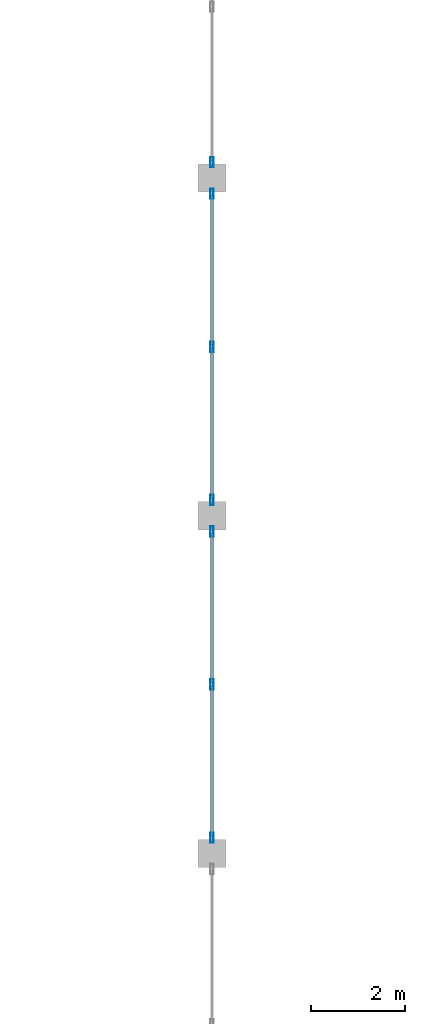
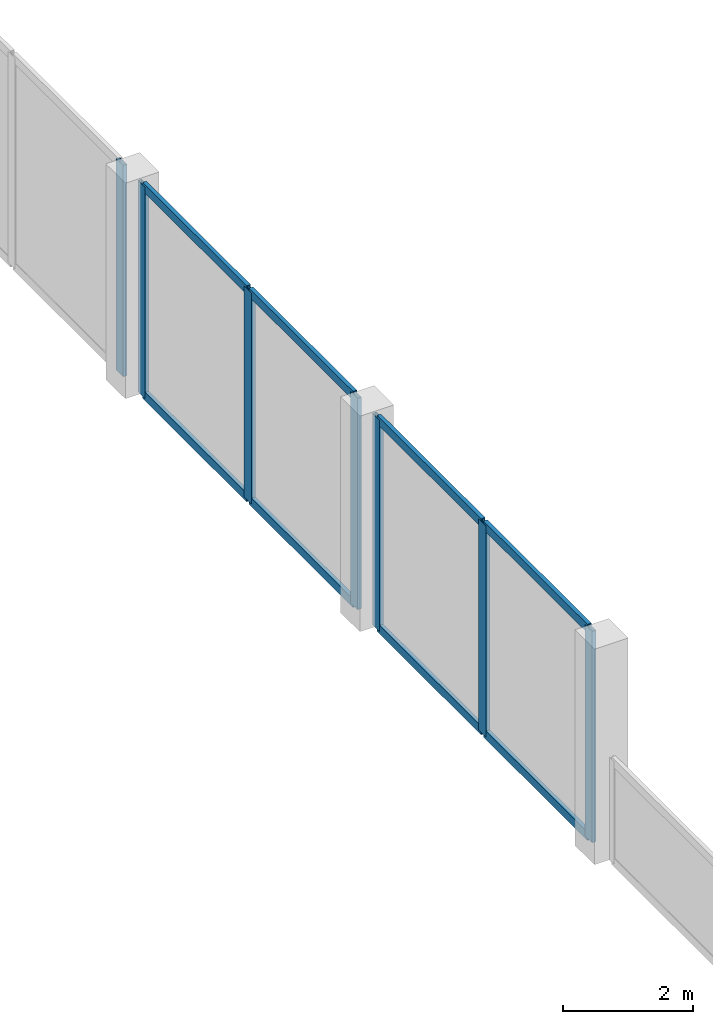
# One storey, part 23 of 51: 15 members, 3 elements without a shape of their own.
"""IFC4 building model written with IfcOpenShell, lengths in metres."""

from ifc_helpers import new_model, si_unit, direction, frame, origin, origin_2d, place, context, subcontext, project, spatial, hollow_rectangle, extrude, material, material_profile, profile_set, type_object, element, aggregate, save


model = new_model("IFC4")

# Units and contexts
model_context = context("Model", 3, precision=1e-05, world=origin(), true_north=direction((0.0, 1.0)))
body_context = subcontext(model_context, "Body", "Model", "MODEL_VIEW")
ifc_project = project(units=[si_unit("LENGTHUNIT", "METRE"), si_unit("AREAUNIT", "SQUARE_METRE"), si_unit("VOLUMEUNIT", "CUBIC_METRE"), si_unit("PLANEANGLEUNIT", "RADIAN"), si_unit("MASSUNIT", "GRAM", prefix="KILO")], contexts=[model_context])

# Site, building, storey
site_placement = place(None, origin())
site = spatial("IfcSite", under=ifc_project, at=site_placement, CompositionType="ELEMENT")
building_placement = place(site_placement, origin())
building = spatial("IfcBuilding", under=site, at=building_placement, Name="Vesperath Aquatics Centre", CompositionType="ELEMENT")
storey_placement = place(building_placement, frame((0.0, 0.0, 15.0)))
storey = spatial("IfcBuildingStorey", under=building, at=storey_placement, Name="L03", CompositionType="ELEMENT", Elevation=15.0)

# Curtain wall, members
ifc_material_1 = material(Name="Thermally broken anodised bronze aluminium curtain wall", Category="aluminium")
curtain_wall_type = type_object("IfcCurtainWallType", Name="CW-04", PredefinedType="NOTDEFINED", material=ifc_material_1)
curtain_wall_1_placement = place(storey_placement, origin())
curtain_wall_1 = element("IfcCurtainWall", 1, at=curtain_wall_1_placement, inside=storey, type_object=curtain_wall_type, Name="Facade Curtain Wall CW04 L03_E_08_13", PredefinedType="NOTDEFINED")
ifc_material_2 = material(Name="Thermally broken anodised aluminium", Category="aluminium")
ifc_material_profile_1 = material_profile(ifc_material_2, hollow_rectangle(XDim=0.070068359375, YDim=0.219970703125, WallThickness=0.0048828125, at=origin_2d()), Name="CWM 70x220x5")
ifc_profile_set_1 = profile_set([ifc_material_profile_1], Name="Thermally broken anodised aluminium")
member_type_1 = type_object("IfcMemberType", Name="MB-CWM2", PredefinedType="MULLION", material=ifc_profile_set_1)
member_1_placement = place(storey_placement, frame((57.60009765625, 93.93505859375, 0.0), z_axis=(0.0, 0.0, 1.0), x_axis=(-1.0, 0.0, 0.0)))
member_1 = element("IfcMember", 2, at=member_1_placement, type_object=member_type_1, Name="CW04 mullion 1", PredefinedType="MULLION", context=body_context, shape_type="SweptSolid", body=[
    extrude(hollow_rectangle(XDim=0.070068359375, YDim=0.219970703125, WallThickness=0.0048828125, at=origin_2d()), origin(), (0.0, 0.0, 1.0), 3.9599609375),
])
member_2_placement = place(storey_placement, frame((57.60009765625, 97.199951171875, 0.0), z_axis=(0.0, 0.0, 1.0), x_axis=(-1.0, 0.0, 0.0)))
member_2 = element("IfcMember", 3, at=member_2_placement, type_object=member_type_1, Name="CW04 mullion 2", PredefinedType="MULLION", context=body_context, shape_type="SweptSolid", body=[
    extrude(hollow_rectangle(XDim=0.070068359375, YDim=0.219970703125, WallThickness=0.0048828125, at=origin_2d()), origin(), (0.0, 0.0, 1.0), 3.9599609375),
])
member_3_placement = place(storey_placement, frame((57.60009765625, 100.465087890625, 0.0), z_axis=(0.0, 0.0, 1.0), x_axis=(-1.0, 0.0, 0.0)))
member_3 = element("IfcMember", 4, at=member_3_placement, type_object=member_type_1, Name="CW04 mullion 3", PredefinedType="MULLION", context=body_context, shape_type="SweptSolid", body=[
    extrude(hollow_rectangle(XDim=0.070068359375, YDim=0.219970703125, WallThickness=0.0048828125, at=origin_2d()), origin(), (0.0, 0.0, 1.0), 3.9599609375),
])

curtain_wall_2_placement = place(storey_placement, origin())
curtain_wall_2 = element("IfcCurtainWall", 5, at=curtain_wall_2_placement, inside=storey, type_object=curtain_wall_type, Name="Facade Curtain Wall CW04 L03_E_08_14", PredefinedType="NOTDEFINED")
member_4_placement = place(storey_placement, frame((57.60009765625, 101.135009765625, 0.0), z_axis=(0.0, 0.0, 1.0), x_axis=(-1.0, 0.0, 0.0)))
member_4 = element("IfcMember", 6, at=member_4_placement, type_object=member_type_1, Name="CW04 mullion 1", PredefinedType="MULLION", context=body_context, shape_type="SweptSolid", body=[
    extrude(hollow_rectangle(XDim=0.070068359375, YDim=0.219970703125, WallThickness=0.0048828125, at=origin_2d()), origin(), (0.0, 0.0, 1.0), 3.9599609375),
])
member_5_placement = place(storey_placement, frame((57.60009765625, 104.39990234375, 0.0), z_axis=(0.0, 0.0, 1.0), x_axis=(-1.0, 0.0, 0.0)))
member_5 = element("IfcMember", 7, at=member_5_placement, type_object=member_type_1, Name="CW04 mullion 2", PredefinedType="MULLION", context=body_context, shape_type="SweptSolid", body=[
    extrude(hollow_rectangle(XDim=0.070068359375, YDim=0.219970703125, WallThickness=0.0048828125, at=origin_2d()), origin(), (0.0, 0.0, 1.0), 3.9599609375),
])
member_6_placement = place(storey_placement, frame((57.60009765625, 107.6650390625, 0.0), z_axis=(0.0, 0.0, 1.0), x_axis=(-1.0, 0.0, 0.0)))
member_6 = element("IfcMember", 8, at=member_6_placement, type_object=member_type_1, Name="CW04 mullion 3", PredefinedType="MULLION", context=body_context, shape_type="SweptSolid", body=[
    extrude(hollow_rectangle(XDim=0.070068359375, YDim=0.219970703125, WallThickness=0.0048828125, at=origin_2d()), origin(), (0.0, 0.0, 1.0), 3.9599609375),
])

# Curtain wall, member
curtain_wall_3_placement = place(storey_placement, origin())
curtain_wall_3 = element("IfcCurtainWall", 9, at=curtain_wall_3_placement, inside=storey, type_object=curtain_wall_type, Name="Facade Curtain Wall CW04 L03_E_08_15", PredefinedType="NOTDEFINED")
member_7_placement = place(storey_placement, frame((57.60009765625, 108.3349609375, 0.0), z_axis=(0.0, 0.0, 1.0), x_axis=(-1.0, 0.0, 0.0)))
member_7 = element("IfcMember", 10, at=member_7_placement, type_object=member_type_1, Name="CW04 mullion 1", PredefinedType="MULLION", context=body_context, shape_type="SweptSolid", body=[
    extrude(hollow_rectangle(XDim=0.070068359375, YDim=0.219970703125, WallThickness=0.0048828125, at=origin_2d()), origin(), (0.0, 0.0, 1.0), 3.9599609375),
])
aggregate(curtain_wall_3, [member_7])

# Member
ifc_material_profile_2 = material_profile(ifc_material_2, hollow_rectangle(XDim=0.070068359375, YDim=0.159912109375, WallThickness=0.0048828125, at=origin_2d()), Name="CWT 70x160x5")
ifc_profile_set_2 = profile_set([ifc_material_profile_2], Name="Thermally broken anodised aluminium")
member_type_2 = type_object("IfcMemberType", Name="MB-CWT2", PredefinedType="USERDEFINED", material=ifc_profile_set_2)
member_8_placement = place(storey_placement, frame((57.60009765625, 93.969970703125, 0.034912109375), z_axis=(0.0, 1.0, 0.0), x_axis=(-1.0, 0.0, 0.0)))
member_8 = element("IfcMember", 11, at=member_8_placement, type_object=member_type_2, Name="CW04 transom 1.1", ObjectType="TRANSOM", PredefinedType="USERDEFINED", context=body_context, shape_type="SweptSolid", body=[
    extrude(hollow_rectangle(XDim=0.070068359375, YDim=0.159912109375, WallThickness=0.0048828125, at=origin_2d()), origin(), (0.0, 0.0, 1.0), 3.195068359375),
])

member_9_placement = place(storey_placement, frame((57.60009765625, 93.969970703125, 3.925048828125), z_axis=(0.0, 1.0, 0.0), x_axis=(-1.0, 0.0, 0.0)))
member_9 = element("IfcMember", 12, at=member_9_placement, type_object=member_type_2, Name="CW04 transom 1.2", ObjectType="TRANSOM", PredefinedType="USERDEFINED", context=body_context, shape_type="SweptSolid", body=[
    extrude(hollow_rectangle(XDim=0.070068359375, YDim=0.159912109375, WallThickness=0.0048828125, at=origin_2d()), origin(), (0.0, 0.0, 1.0), 3.195068359375),
])

member_10_placement = place(storey_placement, frame((57.60009765625, 97.235107421875, 0.034912109375), z_axis=(0.0, 1.0, 0.0), x_axis=(-1.0, 0.0, 0.0)))
member_10 = element("IfcMember", 13, at=member_10_placement, type_object=member_type_2, Name="CW04 transom 2.1", ObjectType="TRANSOM", PredefinedType="USERDEFINED", context=body_context, shape_type="SweptSolid", body=[
    extrude(hollow_rectangle(XDim=0.070068359375, YDim=0.159912109375, WallThickness=0.0048828125, at=origin_2d()), origin(), (0.0, 0.0, 1.0), 3.19482421875),
])

member_11_placement = place(storey_placement, frame((57.60009765625, 97.235107421875, 3.925048828125), z_axis=(0.0, 1.0, 0.0), x_axis=(-1.0, 0.0, 0.0)))
member_11 = element("IfcMember", 14, at=member_11_placement, type_object=member_type_2, Name="CW04 transom 2.2", ObjectType="TRANSOM", PredefinedType="USERDEFINED", context=body_context, shape_type="SweptSolid", body=[
    extrude(hollow_rectangle(XDim=0.070068359375, YDim=0.159912109375, WallThickness=0.0048828125, at=origin_2d()), origin(), (0.0, 0.0, 1.0), 3.19482421875),
])

aggregate(curtain_wall_1, [member_1, member_2, member_3, member_8, member_9, member_10, member_11])

member_12_placement = place(storey_placement, frame((57.60009765625, 101.169921875, 0.034912109375), z_axis=(0.0, 1.0, 0.0), x_axis=(-1.0, 0.0, 0.0)))
member_12 = element("IfcMember", 15, at=member_12_placement, type_object=member_type_2, Name="CW04 transom 1.1", ObjectType="TRANSOM", PredefinedType="USERDEFINED", context=body_context, shape_type="SweptSolid", body=[
    extrude(hollow_rectangle(XDim=0.070068359375, YDim=0.159912109375, WallThickness=0.0048828125, at=origin_2d()), origin(), (0.0, 0.0, 1.0), 3.195068359375),
])

member_13_placement = place(storey_placement, frame((57.60009765625, 101.169921875, 3.925048828125), z_axis=(0.0, 1.0, 0.0), x_axis=(-1.0, 0.0, 0.0)))
member_13 = element("IfcMember", 16, at=member_13_placement, type_object=member_type_2, Name="CW04 transom 1.2", ObjectType="TRANSOM", PredefinedType="USERDEFINED", context=body_context, shape_type="SweptSolid", body=[
    extrude(hollow_rectangle(XDim=0.070068359375, YDim=0.159912109375, WallThickness=0.0048828125, at=origin_2d()), origin(), (0.0, 0.0, 1.0), 3.195068359375),
])

member_14_placement = place(storey_placement, frame((57.60009765625, 104.43505859375, 0.034912109375), z_axis=(0.0, 1.0, 0.0), x_axis=(-1.0, 0.0, 0.0)))
member_14 = element("IfcMember", 17, at=member_14_placement, type_object=member_type_2, Name="CW04 transom 2.1", ObjectType="TRANSOM", PredefinedType="USERDEFINED", context=body_context, shape_type="SweptSolid", body=[
    extrude(hollow_rectangle(XDim=0.070068359375, YDim=0.159912109375, WallThickness=0.0048828125, at=origin_2d()), origin(), (0.0, 0.0, 1.0), 3.19482421875),
])

member_15_placement = place(storey_placement, frame((57.60009765625, 104.43505859375, 3.925048828125), z_axis=(0.0, 1.0, 0.0), x_axis=(-1.0, 0.0, 0.0)))
member_15 = element("IfcMember", 18, at=member_15_placement, type_object=member_type_2, Name="CW04 transom 2.2", ObjectType="TRANSOM", PredefinedType="USERDEFINED", context=body_context, shape_type="SweptSolid", body=[
    extrude(hollow_rectangle(XDim=0.070068359375, YDim=0.159912109375, WallThickness=0.0048828125, at=origin_2d()), origin(), (0.0, 0.0, 1.0), 3.19482421875),
])

aggregate(curtain_wall_2, [member_4, member_5, member_6, member_12, member_13, member_14, member_15])

save(model, "model.ifc")
